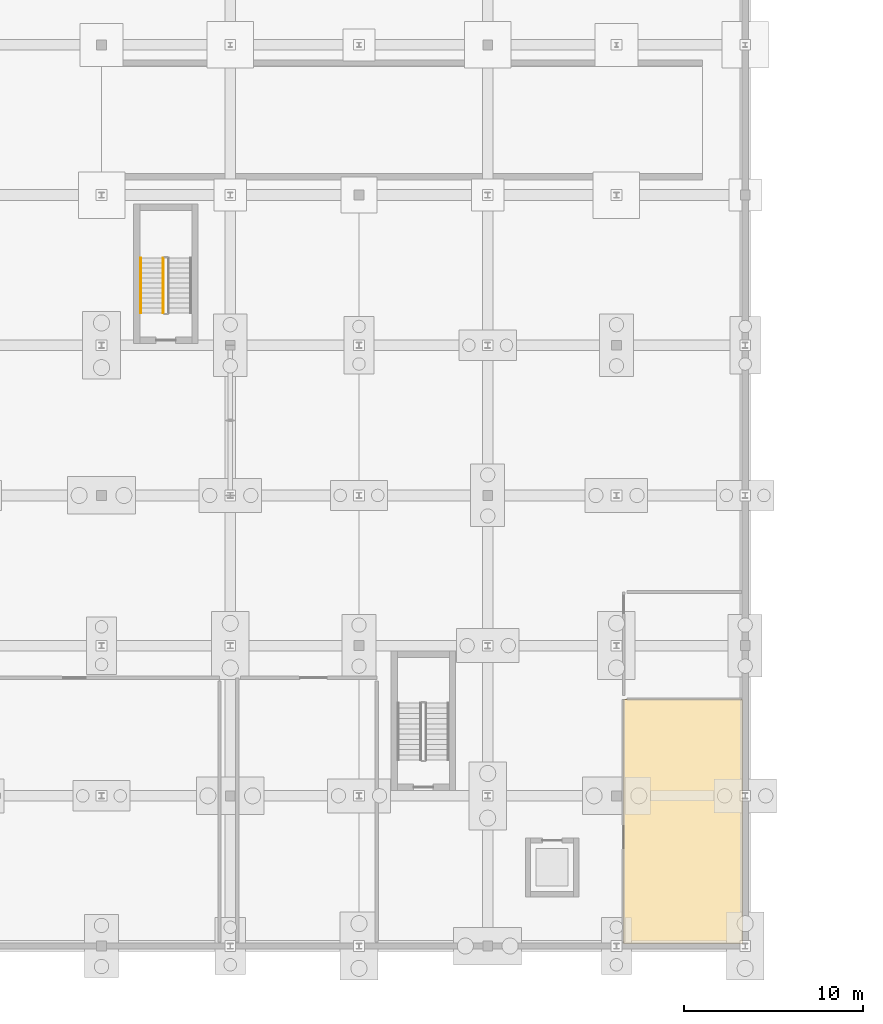
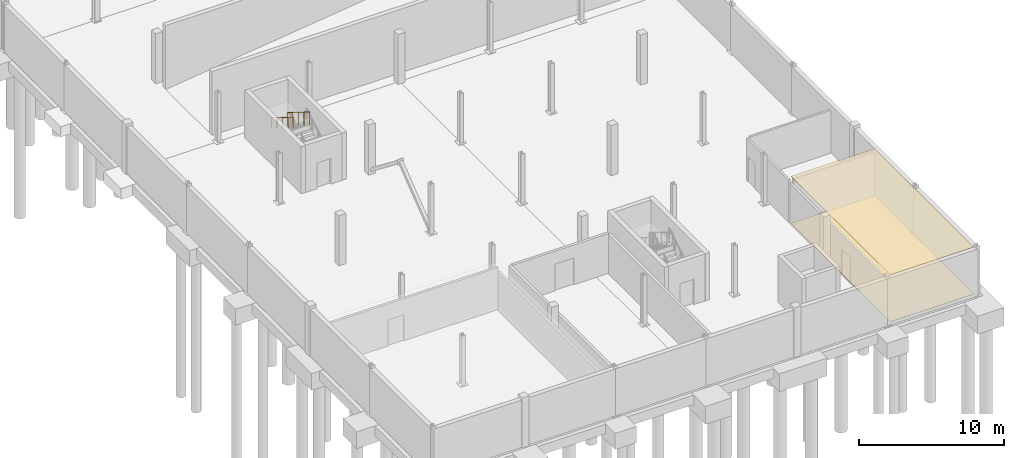
# One storey, part 26 of 32: 2 coverings, 2 railings.
"""IFC4 building model written with IfcOpenShell, lengths in metres."""

from ifc_helpers import new_model, si_unit, direction, frame, origin, origin_2d, place, context, subcontext, project, spatial, polyline, circle, outline, extrude, material, layer, layer_set, type_object, element, save


model = new_model("IFC4")

# Units and contexts
model_context = context("Model", 3, precision=1e-05, world=origin(), true_north=direction((0.0, 1.0)))
body_context = subcontext(model_context, "Body", "Model", "MODEL_VIEW")
ifc_project = project(units=[si_unit("LENGTHUNIT", "METRE"), si_unit("AREAUNIT", "SQUARE_METRE"), si_unit("VOLUMEUNIT", "CUBIC_METRE"), si_unit("PLANEANGLEUNIT", "RADIAN"), si_unit("MASSUNIT", "GRAM", prefix="KILO")], contexts=[model_context])

# Site, building, storey
site_placement = place(None, origin())
site = spatial("IfcSite", under=ifc_project, at=site_placement, CompositionType="ELEMENT")
building_placement = place(site_placement, origin())
building = spatial("IfcBuilding", under=site, at=building_placement, Name="Qelthora Terrace Specialist Clinic", CompositionType="ELEMENT")
storey_placement = place(building_placement, frame((0.0, 0.0, -4.199951171875)))
storey = spatial("IfcBuildingStorey", under=building, at=storey_placement, Name="B1", CompositionType="ELEMENT", Elevation=-4.199951171875)

# Coverings
ifc_material_1 = material(Name="Hygienic mineral-fibre acoustic ceiling", Category="gypsum")
ifc_layer_1 = layer(ifc_material_1, 0.02490234375)
ifc_layer_set_1 = layer_set([ifc_layer_1], Name="Hygienic mineral-fibre acoustic ceiling")
covering_type_1 = type_object("IfcCoveringType", Name="COV-CEIL-ACU-25", PredefinedType="CEILING", material=ifc_layer_set_1)
covering_1_placement = place(storey_placement, frame((0.0, 0.0, 3.93505859375)))
element("IfcCovering", 1, at=covering_1_placement, inside=storey, type_object=covering_type_1, Name="Biomedical Engineering Workshop B1-03 acoustic ceiling", PredefinedType="CEILING", context=body_context, shape_type="SweptSolid", body=[
    extrude(outline(polyline([(36.39990234375, 0.14990234375), (36.39990234375, 13.800048828125), (43.050048828125, 13.800048828125), (43.050048828125, 0.14990234375), (36.39990234375, 0.14990234375)])), origin(), (0.0, 0.0, 1.0), 0.02490234375),
])
ifc_material_2 = material(Name="Antimicrobial clinical linoleum flooring", Category="other")
ifc_layer_2 = layer(ifc_material_2, 0.011962890625)
ifc_layer_set_2 = layer_set([ifc_layer_2], Name="Antimicrobial clinical linoleum flooring")
covering_type_2 = type_object("IfcCoveringType", Name="COV-FLR-LINO-12", PredefinedType="FLOORING", material=ifc_layer_set_2)
covering_2_placement = place(storey_placement, origin())
element("IfcCovering", 2, at=covering_2_placement, inside=storey, type_object=covering_type_2, Name="Biomedical Engineering Workshop B1-03 resilient linoleum flooring", PredefinedType="FLOORING", context=body_context, shape_type="SweptSolid", body=[
    extrude(outline(polyline([(36.39990234375, 0.14990234375), (36.39990234375, 13.800048828125), (43.050048828125, 13.800048828125), (43.050048828125, 0.14990234375), (36.39990234375, 0.14990234375)])), origin(), (0.0, 0.0, 1.0), 0.011962890625),
])

# Railings
ifc_material_3 = material(Name="Steel S355", Category="steel")
railing_type_1 = type_object("IfcRailingType", Name="RAL-GD-1100-S355", PredefinedType="GUARDRAIL", material=ifc_material_3)
railing_1_placement = place(storey_placement, frame((10.64990234375, 38.47998046875, 2.27490234375)))
element("IfcRailing", 3, at=railing_1_placement, inside=storey, type_object=railing_type_1, Name="B1 ST-04 stair guard 3", PredefinedType="GUARDRAIL", context=body_context, shape_type="SweptSolid", body=[
    extrude(circle(Radius=0.02392578125, at=origin_2d()), frame((0.0, 0.0, 1.076171875), z_axis=(0.0, -0.847998304005, 0.529998940003), x_axis=(1.0, 0.0, 0.0)), (0.0, 0.0, 1.0), 3.632080078125),
    extrude(circle(Radius=0.02099609375, at=origin_2d()), origin(), (0.0, 0.0, 1.0), 1.052001953125),
    extrude(circle(Radius=0.02099609375, at=origin_2d()), frame((0.0, -0.77001953125, 0.481201171875)), (0.0, 0.0, 1.0), 1.052001953125),
    extrude(circle(Radius=0.02099609375, at=origin_2d()), frame((0.0, -1.5400390625, 0.96240234375)), (0.0, 0.0, 1.0), 1.052001953125),
    extrude(circle(Radius=0.02099609375, at=origin_2d()), frame((0.0, -2.31005859375, 1.44384765625)), (0.0, 0.0, 1.0), 1.052001953125),
    extrude(circle(Radius=0.02099609375, at=origin_2d()), frame((0.0, -3.080078125, 1.925048828125)), (0.0, 0.0, 1.0), 1.052001953125),
])
railing_type_2 = type_object("IfcRailingType", Name="RAL-HR-900-S355", PredefinedType="HANDRAIL", material=ifc_material_3)
railing_2_placement = place(storey_placement, frame((9.39990234375, 38.47998046875, 2.468017578125)))
element("IfcRailing", 4, at=railing_2_placement, inside=storey, type_object=railing_type_2, Name="B1 ST-04 stair handrail 2", PredefinedType="HANDRAIL", context=body_context, shape_type="SweptSolid", body=[
    extrude(circle(Radius=0.02392578125, at=origin_2d()), frame((0.0, 0.0, 0.8759765625), z_axis=(0.0, -0.847998304005, 0.529998940003), x_axis=(1.0, 0.0, 0.0)), (0.0, 0.0, 1.0), 3.632080078125),
    extrude(circle(Radius=0.02099609375, at=origin_2d()), origin(), (0.0, 0.0, 1.0), 0.851806640625),
    extrude(circle(Radius=0.02099609375, at=origin_2d()), frame((0.0, -0.77001953125, 0.481201171875)), (0.0, 0.0, 1.0), 0.851806640625),
    extrude(circle(Radius=0.02099609375, at=origin_2d()), frame((0.0, -1.5400390625, 0.96240234375)), (0.0, 0.0, 1.0), 0.851806640625),
    extrude(circle(Radius=0.02099609375, at=origin_2d()), frame((0.0, -2.31005859375, 1.44384765625)), (0.0, 0.0, 1.0), 0.851806640625),
    extrude(circle(Radius=0.02099609375, at=origin_2d()), frame((0.0, -3.080078125, 1.925048828125)), (0.0, 0.0, 1.0), 0.851806640625),
])

save(model, "model.ifc")
